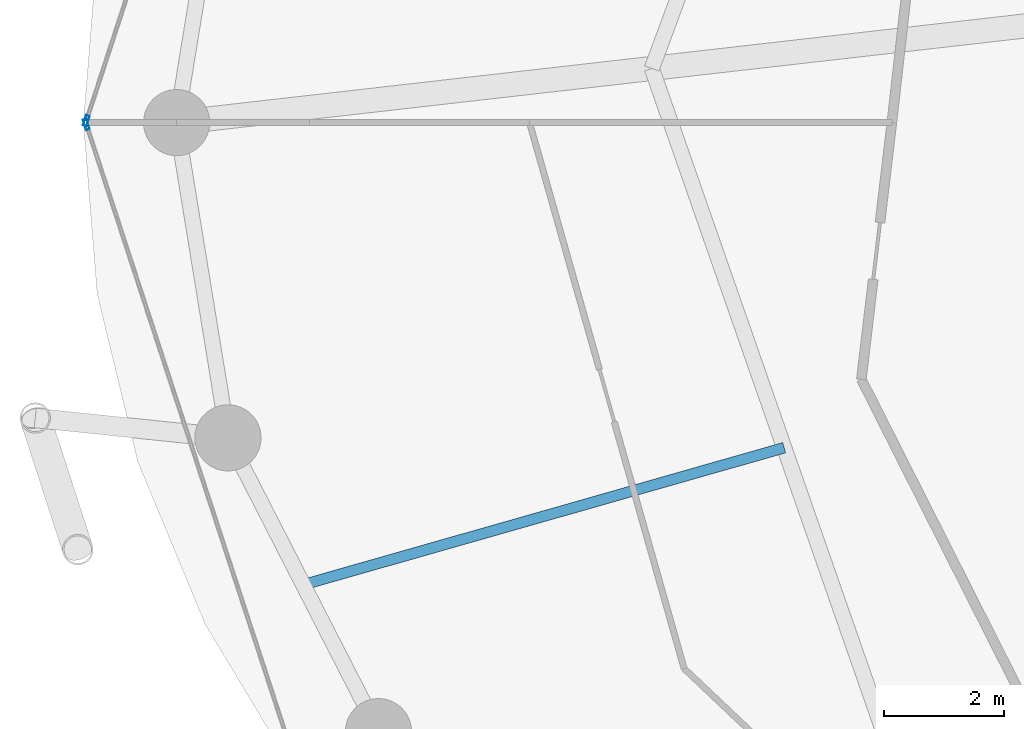
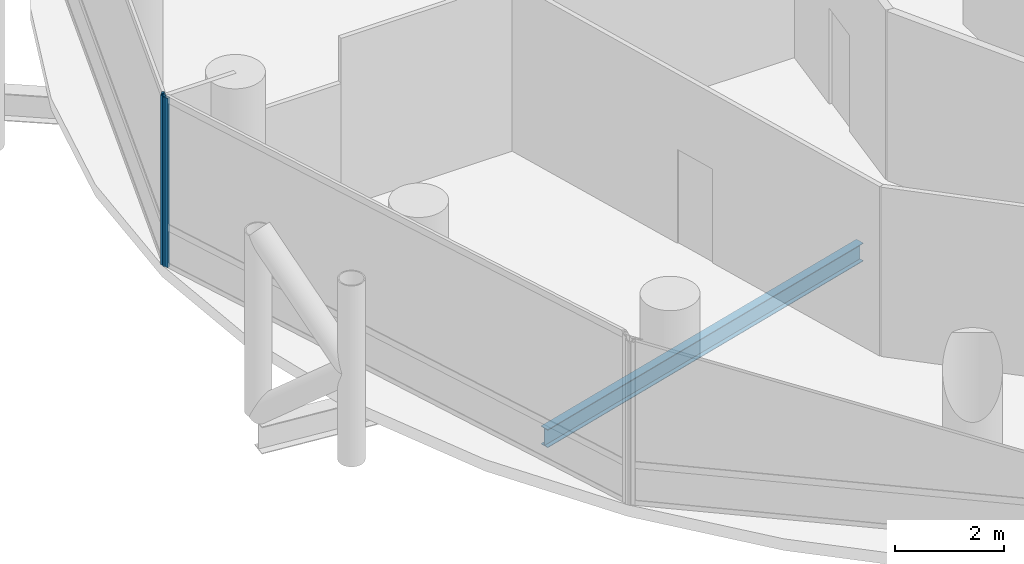
# One storey, part 6 of 24: 2 members, 1 beam, 2 elements without a shape of their own.
"""IFC4 building model written with IfcOpenShell, lengths in metres."""

from ifc_helpers import new_model, si_unit, direction, frame, origin, origin_2d, place, context, subcontext, project, spatial, hollow_rectangle, i_section, extrude, material, layer, layer_set, material_profile, profile_set, type_object, element, aggregate, save


model = new_model("IFC4")

# Units and contexts
model_context = context("Model", 3, precision=1e-05, world=origin(), true_north=direction((0.0, 1.0)))
body_context = subcontext(model_context, "Body", "Model", "MODEL_VIEW")
ifc_project = project(units=[si_unit("LENGTHUNIT", "METRE"), si_unit("AREAUNIT", "SQUARE_METRE"), si_unit("VOLUMEUNIT", "CUBIC_METRE"), si_unit("PLANEANGLEUNIT", "RADIAN"), si_unit("MASSUNIT", "GRAM", prefix="KILO")], contexts=[model_context])

# Site, building, storey
site_placement = place(None, origin())
site = spatial("IfcSite", under=ifc_project, at=site_placement, CompositionType="ELEMENT")
building_placement = place(site_placement, origin())
building = spatial("IfcBuilding", under=site, at=building_placement, Name="Nuhasar Tower", CompositionType="ELEMENT")
storey_placement = place(building_placement, frame((0.0, 0.0, 33.14990234375)))
storey = spatial("IfcBuildingStorey", under=building, at=storey_placement, Name="L07", CompositionType="ELEMENT", Elevation=33.14990234375)

# Beam
ifc_material_1 = material(Name="Steel S355", Category="steel")
ifc_material_profile_1 = material_profile(ifc_material_1, i_section(OverallWidth=0.177978515625, OverallDepth=0.406005859375, WebThickness=0.0078125, FlangeThickness=0.0126953125, at=origin_2d()), Name="W16X40")
ifc_profile_set_1 = profile_set([ifc_material_profile_1], Name="Steel S355")
beam_type = type_object("IfcBeamType", Name="BM-JST-W16X40", PredefinedType="JOIST", material=ifc_profile_set_1)
beam_placement = place(storey_placement, frame((24.051025390625, 21.39501953125, -0.462890625), z_axis=(-0.961730884496, -0.273995813484, 0.0), x_axis=(0.273995813484, -0.961730884496, 0.0)))
element("IfcBeam", 1, at=beam_placement, inside=storey, type_object=beam_type, Name="L07 Secondary Floor Joist 08", PredefinedType="JOIST", context=body_context, shape_type="SweptSolid", body=[
    extrude(i_section(OverallWidth=0.177978515625, OverallDepth=0.406005859375, WebThickness=0.0078125, FlangeThickness=0.0126953125, at=origin_2d()), origin(), (0.0, 0.0, 1.0), 8.314208984375),
])

# Curtain wall, member
ifc_material_2 = material(Name="Aluminium 6063-T6", Category="aluminium")
ifc_layer = layer(ifc_material_2, 0.199951171875)
ifc_layer_set = layer_set([ifc_layer], Name="Aluminium 6063-T6")
curtain_wall_type = type_object("IfcCurtainWallType", Name="CW-Z1-OFF", PredefinedType="NOTDEFINED", material=ifc_layer_set)
curtain_wall_1_placement = place(storey_placement, origin())
curtain_wall_1 = element("IfcCurtainWall", 2, at=curtain_wall_1_placement, inside=storey, type_object=curtain_wall_type, Name="L07 Unitised Curtain Wall 06", PredefinedType="NOTDEFINED")
ifc_material_profile_2 = material_profile(ifc_material_2, hollow_rectangle(XDim=0.06494140625, YDim=0.179931640625, WallThickness=0.0048828125, at=origin_2d()), Name="CWM-2")
ifc_profile_set_2 = profile_set([ifc_material_profile_2], Name="Aluminium 6063-T6")
member_type = type_object("IfcMemberType", Name="CW-MUL-S2", PredefinedType="MULLION", material=ifc_profile_set_2)
member_1_placement = place(storey_placement, frame((12.4501953125, 26.830810546875, 0.0), z_axis=(0.0, 0.0, 1.0), x_axis=(0.950467534571, -0.310823849997, 0.0)))
member_1 = element("IfcMember", 3, at=member_1_placement, type_object=member_type, Name="CW-Z1 mullion 2", PredefinedType="MULLION", context=body_context, shape_type="SweptSolid", body=[
    extrude(hollow_rectangle(XDim=0.06494140625, YDim=0.179931640625, WallThickness=0.0048828125, at=origin_2d()), origin(), (0.0, 0.0, 1.0), 3.7900390625),
])
aggregate(curtain_wall_1, [member_1])

curtain_wall_2_placement = place(storey_placement, origin())
curtain_wall_2 = element("IfcCurtainWall", 4, at=curtain_wall_2_placement, inside=storey, type_object=curtain_wall_type, Name="L07 Unitised Curtain Wall 07", PredefinedType="NOTDEFINED")
member_2_placement = place(storey_placement, frame((12.4501953125, 26.76904296875, 0.0), z_axis=(0.0, 0.0, 1.0), x_axis=(0.950467534571, 0.310823849997, 0.0)))
member_2 = element("IfcMember", 5, at=member_2_placement, type_object=member_type, Name="CW-Z1 mullion 1", PredefinedType="MULLION", context=body_context, shape_type="SweptSolid", body=[
    extrude(hollow_rectangle(XDim=0.06494140625, YDim=0.179931640625, WallThickness=0.0048828125, at=origin_2d()), origin(), (0.0, 0.0, 1.0), 3.7900390625),
])
aggregate(curtain_wall_2, [member_2])

save(model, "model.ifc")
